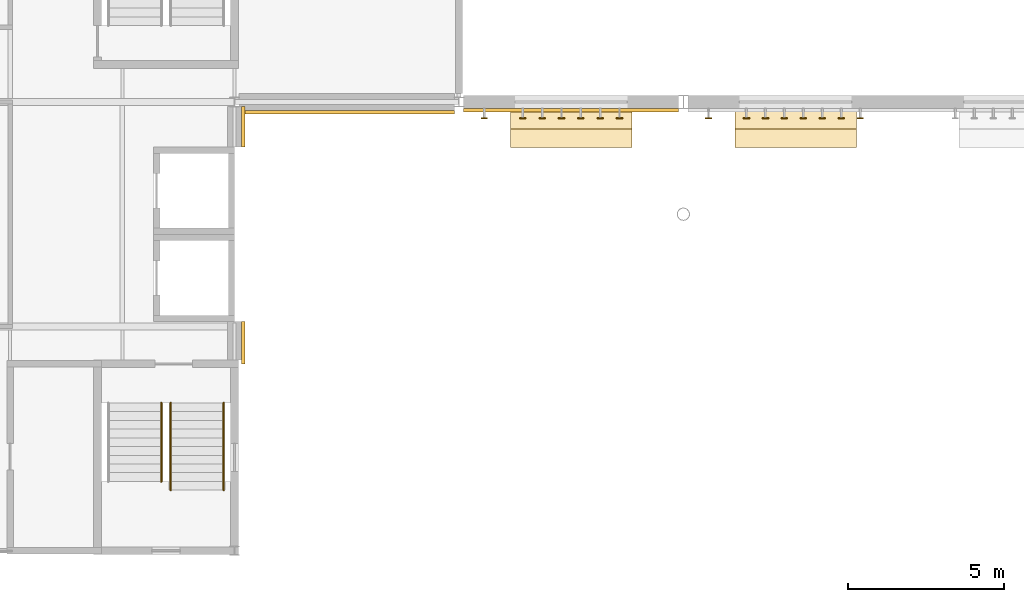
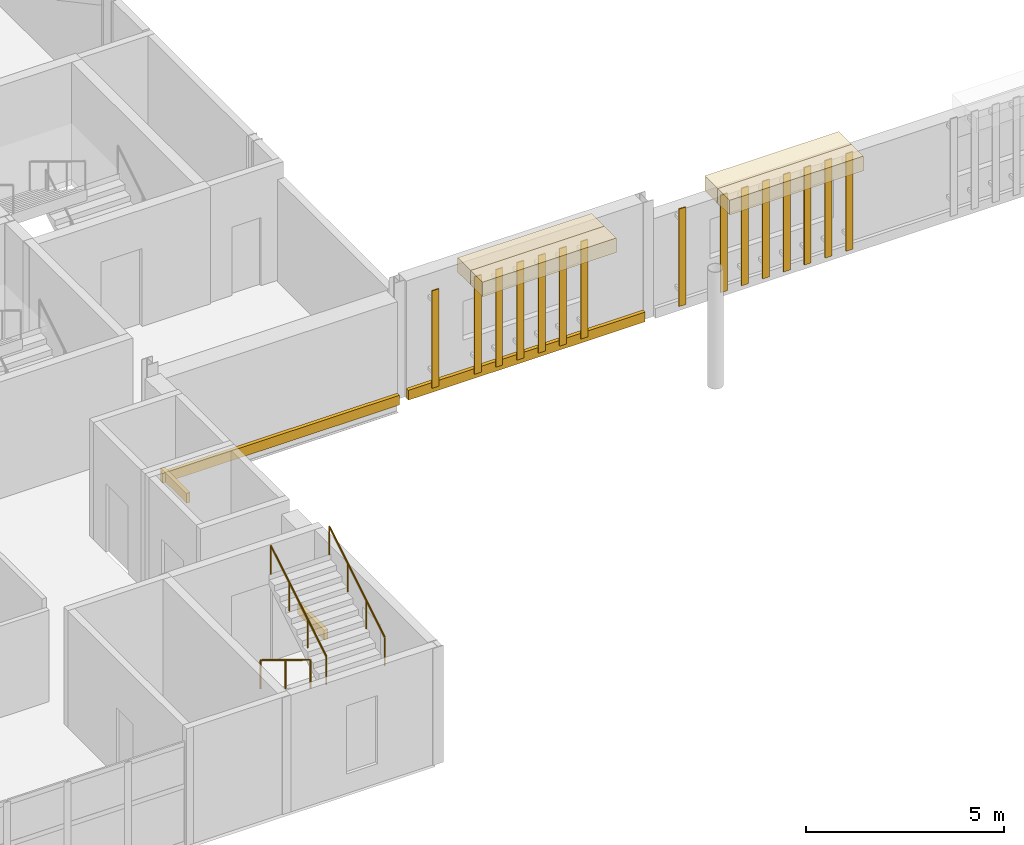
# One storey, part 102 of 124: 15 shading devices, 8 coverings, 3 railings.
"""IFC4 building model written with IfcOpenShell, lengths in metres."""

from ifc_helpers import new_model, si_unit, direction, frame, origin, origin_2d, place, context, subcontext, project, spatial, rectangle, circle, extrude, material, layer, layer_set, type_object, element, save


model = new_model("IFC4")

# Units and contexts
model_context = context("Model", 3, precision=1e-05, world=origin(), true_north=direction((0.0, 1.0)))
body_context = subcontext(model_context, "Body", "Model", "MODEL_VIEW")
ifc_project = project(units=[si_unit("LENGTHUNIT", "METRE"), si_unit("AREAUNIT", "SQUARE_METRE"), si_unit("VOLUMEUNIT", "CUBIC_METRE"), si_unit("PLANEANGLEUNIT", "RADIAN"), si_unit("MASSUNIT", "GRAM", prefix="KILO")], contexts=[model_context])

# Site, building, storey
site_placement = place(None, origin())
site = spatial("IfcSite", under=ifc_project, at=site_placement, CompositionType="ELEMENT")
building_placement = place(site_placement, origin())
building = spatial("IfcBuilding", under=site, at=building_placement, Name="Kupolbacken Congress Centre", CompositionType="ELEMENT")
storey_placement = place(building_placement, frame((0.0, 0.0, 10.800048828125)))
storey = spatial("IfcBuildingStorey", under=building, at=storey_placement, Name="L03", CompositionType="ELEMENT", Elevation=10.800048828125)

# Coverings
ifc_material_1 = material(Name="Brick cladding", Category="masonry")
ifc_layer_1 = layer(ifc_material_1, 0.10791015625)
ifc_layer_set_1 = layer_set([ifc_layer_1], Name="Brick cladding")
covering_type_1 = type_object("IfcCoveringType", Name="CV2 brick cladding band 108", PredefinedType="CLADDING", material=ifc_layer_set_1)
covering_1_placement = place(storey_placement, frame((79.48388671875, 35.47509765625, 0.0), z_axis=(0.0, 0.0, 1.0), x_axis=(0.0, 1.0, 0.0)))
element("IfcCovering", 1, at=covering_1_placement, inside=storey, type_object=covering_type_1, Name="E/F/E/L03/324/band", PredefinedType="CLADDING", context=body_context, shape_type="SweptSolid", body=[
    extrude(rectangle(XDim=1.35009765625, YDim=0.10791015625, at=origin_2d()), origin(), (0.0, 0.0, 1.0), 0.300048828125),
])
covering_2_placement = place(storey_placement, frame((79.48388671875, 42.39990234375, 0.0), z_axis=(0.0, 0.0, 1.0), x_axis=(0.0, 1.0, 0.0)))
element("IfcCovering", 2, at=covering_2_placement, inside=storey, type_object=covering_type_1, Name="E/F/E/L03/325/band", PredefinedType="CLADDING", context=body_context, shape_type="SweptSolid", body=[
    extrude(rectangle(XDim=1.300048828125, YDim=0.10791015625, at=origin_2d()), origin(), (0.0, 0.0, 1.0), 0.300048828125),
])
for number, where, z_axis, x_axis, name in (
    (3, (90.0, 42.93603515625, 0.0), (0.0, 0.0, 1.0), (1.0, 0.0, 0.0), "E/H/S/L03/362/band"),
    (4, (82.800048828125, 42.865966796875, 0.0), (0.0, 0.0, 1.0), (1.0, 0.0, 0.0), "E/LINK/S/L03/372/band"),
):
    element("IfcCovering", number, at=place(storey_placement, frame(where, z_axis=z_axis, x_axis=x_axis)), inside=storey, type_object=covering_type_1, Name=name, PredefinedType="CLADDING", context=body_context, shape_type="SweptSolid", body=[
        extrude(rectangle(XDim=6.89990234375, YDim=0.10791015625, at=origin_2d()), origin(), (0.0, 0.0, 1.0), 0.300048828125),
    ])
ifc_material_2 = material(Name="Limestone cladding", Category="masonry")
ifc_layer_2 = layer(ifc_material_2, 0.60009765625)
ifc_layer_set_2 = layer_set([ifc_layer_2], Name="Limestone cladding")
covering_type_2 = type_object("IfcCoveringType", Name="CV5 limestone arcade pier 600", PredefinedType="CLADDING", material=ifc_layer_set_2)
covering_3_placement = place(storey_placement, frame((90.0, 42.6650390625, 3.35009765625), z_axis=(0.0, 0.0, 1.0), x_axis=(1.0, 0.0, 0.0)))
element("IfcCovering", 5, at=covering_3_placement, inside=storey, type_object=covering_type_2, Name="F/HR/H/S/fin/00/1/a", PredefinedType="CLADDING", context=body_context, shape_type="SweptSolid", body=[
    extrude(rectangle(XDim=3.89990234375, YDim=0.64990234375, at=origin_2d()), origin(), (0.0, 0.0, 1.0), 0.449951171875),
])
covering_4_placement = place(storey_placement, frame((90.0, 42.0400390625, 3.35009765625), z_axis=(0.0, 0.0, 1.0), x_axis=(1.0, 0.0, 0.0)))
element("IfcCovering", 6, at=covering_4_placement, inside=storey, type_object=covering_type_2, Name="F/HR/H/S/fin/00/1/b", PredefinedType="CLADDING", context=body_context, shape_type="SweptSolid", body=[
    extrude(rectangle(XDim=3.89990234375, YDim=0.60009765625, at=origin_2d()), origin(), (0.0, 0.0, 1.0), 0.449951171875),
])
covering_5_placement = place(storey_placement, frame((97.199951171875, 42.6650390625, 3.35009765625), z_axis=(0.0, 0.0, 1.0), x_axis=(1.0, 0.0, 0.0)))
element("IfcCovering", 7, at=covering_5_placement, inside=storey, type_object=covering_type_2, Name="F/HR/H/S/fin/01/1/a", PredefinedType="CLADDING", context=body_context, shape_type="SweptSolid", body=[
    extrude(rectangle(XDim=3.89990234375, YDim=0.64990234375, at=origin_2d()), origin(), (0.0, 0.0, 1.0), 0.449951171875),
])
covering_6_placement = place(storey_placement, frame((97.199951171875, 42.0400390625, 3.35009765625), z_axis=(0.0, 0.0, 1.0), x_axis=(1.0, 0.0, 0.0)))
element("IfcCovering", 8, at=covering_6_placement, inside=storey, type_object=covering_type_2, Name="F/HR/H/S/fin/01/1/b", PredefinedType="CLADDING", context=body_context, shape_type="SweptSolid", body=[
    extrude(rectangle(XDim=3.89990234375, YDim=0.60009765625, at=origin_2d()), origin(), (0.0, 0.0, 1.0), 0.449951171875),
])

# Railings
ifc_material_3 = material(Name="Steel S235", Category="steel")
railing_type = type_object("IfcRailingType", Name="RL3 handrail wall-mounted 900", PredefinedType="HANDRAIL", material=ifc_material_3)
railing_placement = place(storey_placement, frame((76.85009765625, 33.544921875, 0.17138671875)))
element("IfcRailing", 9, at=railing_placement, inside=storey, type_object=railing_type, Name="C/stair/FS1E/L03/HR1L", PredefinedType="HANDRAIL", context=body_context, shape_type="SweptSolid", body=[
    extrude(circle(Radius=0.02392578125, at=origin_2d()), frame((0.0, 0.0, 0.8759765625), z_axis=(0.0, -0.852836285881, 0.522178388565), x_axis=(1.0, 0.0, 0.0)), (0.0, 0.0, 1.0), 2.954833984375),
    extrude(circle(Radius=0.02099609375, at=origin_2d()), origin(), (0.0, 0.0, 1.0), 0.851806640625),
    extrude(circle(Radius=0.02099609375, at=origin_2d()), frame((0.0, -1.260009765625, 0.771484375)), (0.0, 0.0, 1.0), 0.851806640625),
    extrude(circle(Radius=0.02099609375, at=origin_2d()), frame((0.0, -2.52001953125, 1.54296875)), (0.0, 0.0, 1.0), 0.851806640625),
])
for number, where, name in (
    (10, (77.14990234375, 30.7451171875, 1.8857421875), "C/stair/FS1E/L03/HR2L"),
    (11, (78.85009765625, 30.7451171875, 1.8857421875), "C/stair/FS1E/L03/HR2R"),
):
    element("IfcRailing", number, at=place(storey_placement, frame(where)), inside=storey, type_object=railing_type, Name=name, PredefinedType="HANDRAIL", context=body_context, shape_type="SweptSolid", body=[
        extrude(circle(Radius=0.02392578125, at=origin_2d()), frame((0.0, 0.0, 0.8759765625), z_axis=(0.0, 0.852858738594, 0.522141716399), x_axis=(-1.0, 0.0, 0.0)), (0.0, 0.0, 1.0), 3.282958984375),
        extrude(circle(Radius=0.02099609375, at=origin_2d()), origin(), (0.0, 0.0, 1.0), 0.851806640625),
        extrude(circle(Radius=0.02099609375, at=origin_2d()), frame((0.0, 0.933349609375, 0.5712890625)), (0.0, 0.0, 1.0), 0.851806640625),
        extrude(circle(Radius=0.02099609375, at=origin_2d()), frame((0.0, 1.866455078125, 1.142822265625)), (0.0, 0.0, 1.0), 0.851806640625),
        extrude(circle(Radius=0.02099609375, at=origin_2d()), frame((0.0, 2.7998046875, 1.714111328125)), (0.0, 0.0, 1.0), 0.851806640625),
    ])

# Shading devices
ifc_material_4 = material(Name="Aluminium alloy louvre", Category="aluminium")
ifc_layer_3 = layer(ifc_material_4, 0.030029296875)
ifc_layer_set_3 = layer_set([ifc_layer_3], Name="Aluminium alloy louvre")
shading_device_type = type_object("IfcShadingDeviceType", Name="SC1 louvre blade 30 x 200", PredefinedType="JALOUSIE", material=ifc_layer_set_3)
for number, where, z_axis, x_axis, name in (
    (12, (87.2099609375, 42.675048828125, 0.300048828125), (0.0, 0.0, 1.0), (1.0, 0.0, 0.0), "E/brise/S/L03/362/B01"),
    (13, (88.449951171875, 42.675048828125, 0.300048828125), (0.0, 0.0, 1.0), (1.0, 0.0, 0.0), "E/brise/S/L03/362/B03"),
    (14, (89.070068359375, 42.675048828125, 0.300048828125), (0.0, 0.0, 1.0), (1.0, 0.0, 0.0), "E/brise/S/L03/362/B04"),
    (15, (89.68994140625, 42.675048828125, 0.300048828125), (0.0, 0.0, 1.0), (1.0, 0.0, 0.0), "E/brise/S/L03/362/B05"),
    (16, (90.31005859375, 42.675048828125, 0.300048828125), (0.0, 0.0, 1.0), (1.0, 0.0, 0.0), "E/brise/S/L03/362/B06"),
    (17, (90.929931640625, 42.675048828125, 0.300048828125), (0.0, 0.0, 1.0), (1.0, 0.0, 0.0), "E/brise/S/L03/362/B07"),
    (18, (91.550048828125, 42.675048828125, 0.300048828125), (0.0, 0.0, 1.0), (1.0, 0.0, 0.0), "E/brise/S/L03/362/B08"),
    (19, (94.404541015625, 42.675048828125, 0.300048828125), (0.0, 0.0, 1.0), (1.0, 0.0, 0.0), "E/brise/S/L03/363/B01"),
    (20, (95.622802734375, 42.675048828125, 0.300048828125), (0.0, 0.0, 1.0), (1.0, 0.0, 0.0), "E/brise/S/L03/363/B03"),
    (21, (96.23193359375, 42.675048828125, 0.300048828125), (0.0, 0.0, 1.0), (1.0, 0.0, 0.0), "E/brise/S/L03/363/B04"),
    (22, (96.8408203125, 42.675048828125, 0.300048828125), (0.0, 0.0, 1.0), (1.0, 0.0, 0.0), "E/brise/S/L03/363/B05"),
    (23, (97.449951171875, 42.675048828125, 0.300048828125), (0.0, 0.0, 1.0), (1.0, 0.0, 0.0), "E/brise/S/L03/363/B06"),
    (24, (98.05908203125, 42.675048828125, 0.300048828125), (0.0, 0.0, 1.0), (1.0, 0.0, 0.0), "E/brise/S/L03/363/B07"),
    (25, (98.668212890625, 42.675048828125, 0.300048828125), (0.0, 0.0, 1.0), (1.0, 0.0, 0.0), "E/brise/S/L03/363/B08"),
    (26, (99.27734375, 42.675048828125, 0.300048828125), (0.0, 0.0, 1.0), (1.0, 0.0, 0.0), "E/brise/S/L03/363/B09"),
):
    element("IfcShadingDevice", number, at=place(storey_placement, frame(where, z_axis=z_axis, x_axis=x_axis)), inside=storey, type_object=shading_device_type, Name=name, PredefinedType="JALOUSIE", context=body_context, shape_type="SweptSolid", body=[
        extrude(rectangle(XDim=0.199951171875, YDim=0.030029296875, at=origin_2d()), origin(), (0.0, 0.0, 1.0), 3.0),
    ])

save(model, "model.ifc")
